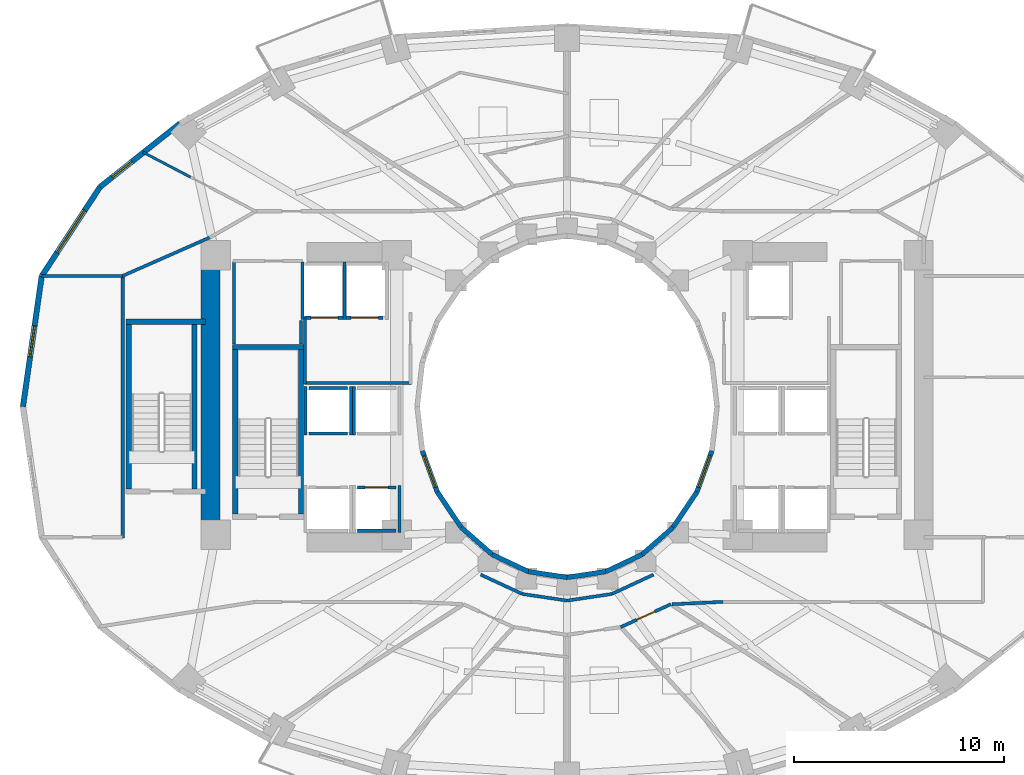
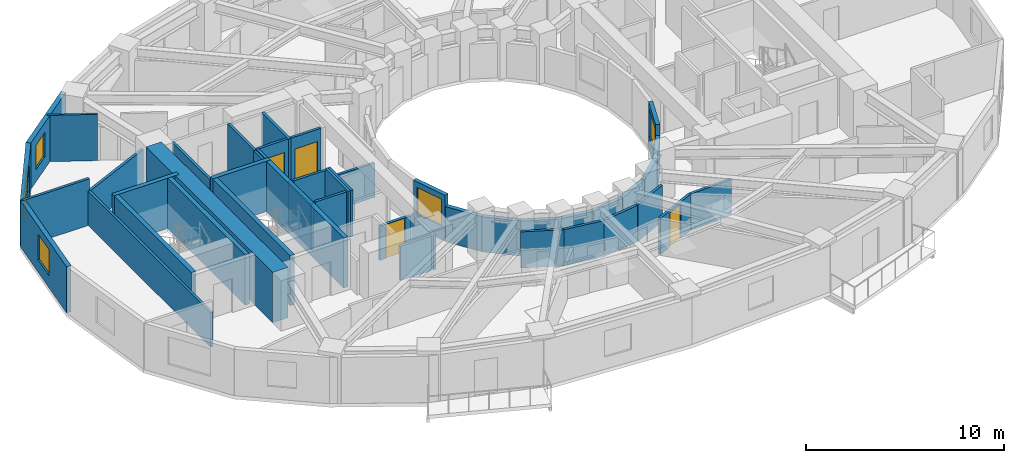
# One storey, part 4 of 11: 46 walls, 5 windows, 4 doors, 9 openings.
"""IFC4 building model written with IfcOpenShell, lengths in metres."""

from ifc_helpers import new_model, si_unit, direction, frame, frame_2d, origin, place, context, subcontext, project, spatial, rectangle, extrude, material, layer, layer_set, type_object, element, fill, save


model = new_model("IFC4")

# Units and contexts
model_context = context("Model", 3, precision=1e-05, world=origin(), true_north=direction((0.0, 1.0)))
body_context = subcontext(model_context, "Body", "Model", "MODEL_VIEW")
ifc_project = project(units=[si_unit("LENGTHUNIT", "METRE"), si_unit("AREAUNIT", "SQUARE_METRE"), si_unit("VOLUMEUNIT", "CUBIC_METRE"), si_unit("PLANEANGLEUNIT", "RADIAN"), si_unit("MASSUNIT", "GRAM", prefix="KILO")], contexts=[model_context])

# Site, building, storey
site_placement = place(None, origin())
site = spatial("IfcSite", under=ifc_project, at=site_placement, CompositionType="ELEMENT")
building_placement = place(site_placement, origin())
building = spatial("IfcBuilding", under=site, at=building_placement, Name="Solvane Sanctuary Tower", CompositionType="ELEMENT")
storey_placement = place(building_placement, frame((0.0, 0.0, 49.300048828125)))
storey = spatial("IfcBuildingStorey", under=building, at=storey_placement, Name="L14", CompositionType="ELEMENT", Elevation=49.300048828125)

# Walls
ifc_material_1 = material(Name="Concrete C70/85", Category="concrete")
ifc_layer_1 = layer(ifc_material_1, 0.89990234375, Name="Concrete C70/85")
ifc_layer_set_1 = layer_set([ifc_layer_1], Name="Concrete C70/85")
wall_type_1 = type_object("IfcWallType", Name="Wall W-CORE-900", PredefinedType="SHEAR", material=ifc_layer_set_1)
wall_1_placement = place(storey_placement, frame((15.050048828125, 17.050048828125, 0.0), z_axis=(0.0, 0.0, 1.0), x_axis=(0.0, 1.0, 0.0)))
element("IfcWall", 1, at=wall_1_placement, inside=storey, type_object=wall_type_1, Name="L14 Core Shear Wall WC-W", PredefinedType="SHEAR", context=body_context, shape_type="SweptSolid", body=[
    extrude(rectangle(XDim=12.800048828125, YDim=0.89990234375, at=frame_2d((6.39990234375, 0.0))), origin(), (0.0, 0.0, 1.0), 3.099853515625),
])
ifc_material_2 = material(Name="Acoustic Gypsum Partition Board")
ifc_layer_2 = layer(ifc_material_2, 0.14990234375, Name="Acoustic Gypsum Partition Board")
ifc_layer_set_2 = layer_set([ifc_layer_2], Name="Acoustic Gypsum Partition Board")
wall_type_2 = type_object("IfcWallType", Name="Wall W-CORR-150", PredefinedType="PARTITIONING", material=ifc_layer_set_2)
wall_2_placement = place(storey_placement, frame((19.52001953125, 24.1201171875, 0.0), z_axis=(0.0, 0.0, 1.0), x_axis=(1.0, 0.0, 0.0)))
element("IfcWall", 2, at=wall_2_placement, inside=storey, type_object=wall_type_2, Name="L14 West Firefighting Lobby South Wall", PredefinedType="PARTITIONING", context=body_context, shape_type="SweptSolid", body=[
    extrude(rectangle(XDim=5.080078125, YDim=0.14990234375, at=frame_2d((2.5400390625, 0.0))), origin(), (0.0, 0.0, 1.0), 2.119873046875),
])
wall_3_placement = place(storey_placement, frame((19.550048828125, 24.080078125, 0.0), z_axis=(0.0, 0.0, 1.0), x_axis=(0.0, 1.0, 0.0)))
element("IfcWall", 3, at=wall_3_placement, inside=storey, type_object=wall_type_2, Name="L14 West Firefighting Lobby West Wall", PredefinedType="PARTITIONING", context=body_context, shape_type="SweptSolid", body=[
    extrude(rectangle(XDim=3.199951171875, YDim=0.14990234375, at=frame_2d((1.60009765625, 0.0))), origin(), (0.0, 0.0, 1.0), 2.85498046875),
])
wall_4_placement = place(storey_placement, frame((27.889892578125, 15.01513671875, 0.0), z_axis=(0.0, 0.0, 1.0), x_axis=(0.906943449489, -0.421252393975, 0.0)))
element("IfcWall", 4, at=wall_4_placement, inside=storey, type_object=wall_type_2, Name="L14 Light-Well Corridor Rim Wall S1", PredefinedType="PARTITIONING", context=body_context, shape_type="SweptSolid", body=[
    extrude(rectangle(XDim=2.18603515625, YDim=0.14990234375, at=frame_2d((1.093017578125, 0.0))), origin(), (0.0, 0.0, 1.0), 2.237060546875),
])
for number, where, z_axis, x_axis, name in (
    (5, (29.87255859375, 14.09423828125, 0.0), (0.0, 0.0, 1.0), (0.989268584896, -0.146108408166, 0.0), "L14 Light-Well Corridor Rim Wall S2"),
    (6, (32.0, 13.780029296875, 0.0), (0.0, 0.0, 1.0), (0.989268584896, 0.146108408166, 0.0), "L14 Light-Well Corridor Rim Wall S3"),
):
    element("IfcWall", number, at=place(storey_placement, frame(where, z_axis=z_axis, x_axis=x_axis)), inside=storey, type_object=wall_type_2, Name=name, PredefinedType="PARTITIONING", context=body_context, shape_type="SweptSolid", body=[
        extrude(rectangle(XDim=2.150634765625, YDim=0.14990234375, at=frame_2d((1.0751953125, 0.0))), origin(), (0.0, 0.0, 1.0), 2.237060546875),
    ])
wall_5_placement = place(storey_placement, frame((34.12744140625, 14.09423828125, 0.0), z_axis=(0.0, 0.0, 1.0), x_axis=(0.906943449489, 0.421252393975, 0.0)))
element("IfcWall", 7, at=wall_5_placement, inside=storey, type_object=wall_type_2, Name="L14 Light-Well Corridor Rim Wall S4", PredefinedType="PARTITIONING", context=body_context, shape_type="SweptSolid", body=[
    extrude(rectangle(XDim=2.18603515625, YDim=0.14990234375, at=frame_2d((1.093017578125, 0.0))), origin(), (0.0, 0.0, 1.0), 2.237060546875),
])
wall_6_placement = place(storey_placement, frame((10.8798828125, 16.748291015625, 0.0), z_axis=(0.0, 0.0, 1.0), x_axis=(0.0, 1.0, 0.0)))
element("IfcWall", 8, at=wall_6_placement, inside=storey, type_object=wall_type_2, Name="L14 West Shoulder Back Wall", PredefinedType="PARTITIONING", context=body_context, shape_type="SweptSolid", body=[
    extrude(rectangle(XDim=12.50341796875, YDim=0.14990234375, at=frame_2d((6.251708984375, 0.0))), origin(), (0.0, 0.0, 1.0), 2.119873046875),
])
wall_7_placement = place(storey_placement, frame((7.013671875, 29.211669921875, 0.0), z_axis=(0.0, 0.0, 1.0), x_axis=(1.0, 0.0, 0.0)))
element("IfcWall", 9, at=wall_7_placement, inside=storey, type_object=wall_type_2, Name="L14 West Shoulder North Wall", PredefinedType="PARTITIONING", context=body_context, shape_type="SweptSolid", body=[
    extrude(rectangle(XDim=3.8662109375, YDim=0.14990234375, at=frame_2d((1.93310546875, 0.0))), origin(), (0.0, 0.0, 1.0), 2.85498046875),
])
wall_8_placement = place(storey_placement, frame((10.843505859375, 29.195556640625, 0.0), z_axis=(0.0, 0.0, 1.0), x_axis=(0.91502756289, 0.403391322604, 0.0)))
element("IfcWall", 10, at=wall_8_placement, inside=storey, type_object=wall_type_2, Name="L14 NW Corner Closer 1", PredefinedType="PARTITIONING", context=body_context, shape_type="SweptSolid", body=[
    extrude(rectangle(XDim=4.63720703125, YDim=0.14990234375, at=frame_2d((2.318603515625, 0.0))), origin(), (0.0, 0.0, 1.0), 2.06884765625),
])
wall_9_placement = place(storey_placement, frame((36.97998046875, 13.606201171875, 0.0), z_axis=(0.0, 0.0, 1.0), x_axis=(0.998877427952, 0.047369651964, 0.0)))
element("IfcWall", 11, at=wall_9_placement, inside=storey, type_object=wall_type_2, Name="L14 SE Corner Throat Wall", PredefinedType="PARTITIONING", context=body_context, shape_type="SweptSolid", body=[
    extrude(rectangle(XDim=2.4326171875, YDim=0.14990234375, at=frame_2d((1.21630859375, 0.0))), origin(), (0.0, 0.0, 1.0), 2.237060546875),
])

# Wall, opening, door
wall_10_placement = place(storey_placement, frame((34.542724609375, 12.517578125, 0.0), z_axis=(0.0, 0.0, 1.0), x_axis=(0.909747571199, 0.415161843982, 0.0)))
wall_10 = element("IfcWall", 12, at=wall_10_placement, inside=storey, type_object=wall_type_2, Name="L14 Unit Corridor Wall S4", PredefinedType="PARTITIONING", context=body_context, shape_type="SweptSolid", body=[
    extrude(rectangle(XDim=2.625, YDim=0.14990234375, at=frame_2d((1.3125, 0.0))), origin(), (0.0, 0.0, 1.0), 2.237060546875),
])
opening_1_placement = place(wall_10_placement, frame((0.837646484375, 0.0, 0.0)))
opening_1 = element("IfcOpeningElement", 13, at=opening_1_placement, cuts=wall_10, Name="Opening D-L14-32", PredefinedType="OPENING", context=body_context, shape_type="SweptSolid", body=[
    extrude(rectangle(XDim=0.949951171875, YDim=2.10009765625, at=frame_2d((0.47509765625, 1.050048828125))), frame((0.0, 0.0849609375, 0.0), z_axis=(0.0, -1.0, 0.0), x_axis=(1.0, 0.0, 0.0)), (0.0, 0.0, 1.0), 0.169921875),
])
ifc_material_3 = material(Name="Engineered Tropical Hardwood", Category="wood")
door_type_1 = type_object("IfcDoorType", Name="Door D-ROOM-950", OperationType="NOTDEFINED", PredefinedType="DOOR", material=ifc_material_3)
door_1_placement = place(opening_1_placement, origin())
door_1 = element("IfcDoor", 14, at=door_1_placement, inside=storey, type_object=door_type_1, Name="L14 Unit Entrance Door S4", OperationType="SINGLE_SWING_RIGHT", OverallHeight=2.10009765625, OverallWidth=0.949951171875, PredefinedType="DOOR", context=body_context, shape_type="SweptSolid", body=[
    extrude(rectangle(XDim=0.949951171875, YDim=2.10009765625, at=frame_2d((0.47509765625, 1.050048828125))), frame((0.0, 0.02490234375, 0.0), z_axis=(0.0, -1.0, 0.0), x_axis=(1.0, 0.0, 0.0)), (0.0, 0.0, 1.0), 0.050048828125),
])
fill(opening_1, door_1)

# Wall, opening, window
ifc_material_4 = material(Name="Precast concrete C40/50", Category="concrete")
ifc_layer_3 = layer(ifc_material_4, 0.260009765625, Name="Precast concrete C40/50")
ifc_layer_set_3 = layer_set([ifc_layer_3], Name="Precast concrete C40/50")
wall_type_3 = type_object("IfcWallType", Name="Wall W-EXT-250", PredefinedType="STANDARD", material=ifc_layer_set_3)
wall_11_placement = place(storey_placement, frame((13.595458984375, 36.449951171875, 0.0), z_axis=(0.0, 0.0, 1.0), x_axis=(-0.783123133379, -0.621866672179, 0.0)))
wall_11 = element("IfcWall", 15, at=wall_11_placement, inside=storey, type_object=wall_type_3, Name="L14 Ceramic-Printed Facade Wall 09", PredefinedType="STANDARD", context=body_context, shape_type="SweptSolid", body=[
    extrude(rectangle(XDim=4.838623046875, YDim=0.260009765625, at=frame_2d((2.41943359375, 0.0))), origin(), (0.0, 0.0, 1.0), 2.849853515625),
])
opening_2_placement = place(wall_11_placement, frame((2.897705078125, 0.0, 0.75)))
opening_2 = element("IfcOpeningElement", 16, at=opening_2_placement, cuts=wall_11, Name="Opening WN-OPER-1200", PredefinedType="OPENING", context=body_context, shape_type="SweptSolid", body=[
    extrude(rectangle(XDim=1.199951171875, YDim=1.5, at=frame_2d((0.60009765625, 0.75))), frame((0.0, 0.139892578125, 0.0), z_axis=(0.0, -1.0, 0.0), x_axis=(1.0, 0.0, 0.0)), (0.0, 0.0, 1.0), 0.280029296875),
])
ifc_material_5 = material(Name="Dark Ceramic-Fritted Low-E Glass", Category="glass")
window_type_1 = type_object("IfcWindowType", Name="Window WN-OPER-1200", PartitioningType="SINGLE_PANEL", PredefinedType="WINDOW", material=ifc_material_5)
window_1_placement = place(opening_2_placement, origin())
window_1 = element("IfcWindow", 17, at=window_1_placement, inside=storey, type_object=window_type_1, Name="L14 Operable Facade Window 09", OverallHeight=1.5, OverallWidth=1.199951171875, PartitioningType="SINGLE_PANEL", PredefinedType="WINDOW", context=body_context, shape_type="SweptSolid", body=[
    extrude(rectangle(XDim=1.199951171875, YDim=1.5, at=frame_2d((0.60009765625, 0.75))), frame((0.0, 0.030029296875, 0.0), z_axis=(0.0, -1.0, 0.0), x_axis=(1.0, 0.0, 0.0)), (0.0, 0.0, 1.0), 0.06005859375),
])
fill(opening_2, window_1)

wall_12_placement = place(storey_placement, frame((9.80615234375, 33.44091796875, 0.0), z_axis=(0.0, 0.0, 1.0), x_axis=(-0.547702757047, -0.836672988642, 0.0)))
wall_12 = element("IfcWall", 18, at=wall_12_placement, inside=storey, type_object=wall_type_3, Name="L14 Ceramic-Printed Facade Wall 10", PredefinedType="STANDARD", context=body_context, shape_type="SweptSolid", body=[
    extrude(rectangle(XDim=5.0625, YDim=0.260009765625, at=frame_2d((2.53125, 0.0))), origin(), (0.0, 0.0, 1.0), 2.849853515625),
])
opening_3_placement = place(wall_12_placement, frame((1.331298828125, 0.0, 0.75)))
opening_3 = element("IfcOpeningElement", 19, at=opening_3_placement, cuts=wall_12, Name="Opening WN-RIB-2400", PredefinedType="OPENING", context=body_context, shape_type="SweptSolid", body=[
    extrude(rectangle(XDim=2.39990234375, YDim=1.699951171875, at=frame_2d((1.199951171875, 0.85009765625))), frame((0.0, 0.139892578125, 0.0), z_axis=(0.0, -1.0, 0.0), x_axis=(1.0, 0.0, 0.0)), (0.0, 0.0, 1.0), 0.280029296875),
])
window_type_2 = type_object("IfcWindowType", Name="Window WN-RIB-2400", PartitioningType="SINGLE_PANEL", PredefinedType="WINDOW", material=ifc_material_5)
window_2_placement = place(opening_3_placement, origin())
window_2 = element("IfcWindow", 20, at=window_2_placement, inside=storey, type_object=window_type_2, Name="L14 Operable Facade Window 10", OverallHeight=1.699951171875, OverallWidth=2.39990234375, PartitioningType="SINGLE_PANEL", PredefinedType="WINDOW", context=body_context, shape_type="SweptSolid", body=[
    extrude(rectangle(XDim=2.39990234375, YDim=1.699951171875, at=frame_2d((1.199951171875, 0.85009765625))), frame((0.0, 0.030029296875, 0.0), z_axis=(0.0, -1.0, 0.0), x_axis=(1.0, 0.0, 0.0)), (0.0, 0.0, 1.0), 0.06005859375),
])
fill(opening_3, window_2)

wall_13_placement = place(storey_placement, frame((7.033447265625, 29.205322265625, 0.0), z_axis=(0.0, 0.0, 1.0), x_axis=(-0.142528001686, -0.989790770181, 0.0)))
wall_13 = element("IfcWall", 21, at=wall_13_placement, inside=storey, type_object=wall_type_3, Name="L14 Ceramic-Printed Facade Wall 11", PredefinedType="STANDARD", context=body_context, shape_type="SweptSolid", body=[
    extrude(rectangle(XDim=6.269287109375, YDim=0.260009765625, at=frame_2d((3.134765625, 0.0))), origin(), (0.0, 0.0, 1.0), 2.849853515625),
])
opening_4_placement = place(wall_13_placement, frame((2.384521484375, 0.0, 0.75)))
opening_4 = element("IfcOpeningElement", 22, at=opening_4_placement, cuts=wall_13, Name="Opening WN-OPER-1500", PredefinedType="OPENING", context=body_context, shape_type="SweptSolid", body=[
    extrude(rectangle(XDim=1.5, YDim=1.60009765625, at=frame_2d((0.75, 0.800048828125))), frame((0.0, 0.139892578125, 0.0), z_axis=(0.0, -1.0, 0.0), x_axis=(1.0, 0.0, 0.0)), (0.0, 0.0, 1.0), 0.280029296875),
])
window_type_3 = type_object("IfcWindowType", Name="Window WN-OPER-1500", PartitioningType="SINGLE_PANEL", PredefinedType="WINDOW", material=ifc_material_5)
window_3_placement = place(opening_4_placement, origin())
window_3 = element("IfcWindow", 23, at=window_3_placement, inside=storey, type_object=window_type_3, Name="L14 Operable Facade Window 11", OverallHeight=1.60009765625, OverallWidth=1.5, PartitioningType="SINGLE_PANEL", PredefinedType="WINDOW", context=body_context, shape_type="SweptSolid", body=[
    extrude(rectangle(XDim=1.5, YDim=1.60009765625, at=frame_2d((0.75, 0.800048828125))), frame((0.0, 0.030029296875, 0.0), z_axis=(0.0, -1.0, 0.0), x_axis=(1.0, 0.0, 0.0)), (0.0, 0.0, 1.0), 0.06005859375),
])
fill(opening_4, window_3)

ifc_layer_4 = layer(ifc_material_4, 0.22998046875, Name="Precast concrete C40/50")
ifc_layer_set_4 = layer_set([ifc_layer_4], Name="Precast concrete C40/50")
wall_type_4 = type_object("IfcWallType", Name="Wall W-EXT-SP220", PredefinedType="STANDARD", material=ifc_layer_set_4)
wall_14_placement = place(storey_placement, frame((25.12255859375, 20.8984375, 0.0), z_axis=(0.0, 0.0, 1.0), x_axis=(0.341423187295, -0.93990968033, 0.0)))
wall_14 = element("IfcWall", 24, at=wall_14_placement, inside=storey, type_object=wall_type_4, Name="L14 Central Light-Well Wall 13", PredefinedType="STANDARD", context=body_context, shape_type="SweptSolid", body=[
    extrude(rectangle(XDim=2.083740234375, YDim=0.22998046875, at=frame_2d((1.0419921875, 0.0))), origin(), (0.0, 0.0, 1.0), 2.83984375),
])
opening_5_placement = place(wall_14_placement, frame((0.24169921875, 0.0, 0.85009765625)))
opening_5 = element("IfcOpeningElement", 25, at=opening_5_placement, cuts=wall_14, Name="Opening WN-WELL-1600", PredefinedType="OPENING", context=body_context, shape_type="SweptSolid", body=[
    extrude(rectangle(XDim=1.60009765625, YDim=1.64990234375, at=frame_2d((0.800048828125, 0.824951171875))), frame((0.0, 0.125, 0.0), z_axis=(0.0, -1.0, 0.0), x_axis=(1.0, 0.0, 0.0)), (0.0, 0.0, 1.0), 0.25),
])
ifc_material_6 = material(Name="Clear Laminated Light-Well Glass", Category="glass")
window_type_4 = type_object("IfcWindowType", Name="Window WN-WELL-1600", PartitioningType="SINGLE_PANEL", PredefinedType="WINDOW", material=ifc_material_6)
window_4_placement = place(opening_5_placement, origin())
window_4 = element("IfcWindow", 26, at=window_4_placement, inside=storey, type_object=window_type_4, Name="L14 Light-Well Daylight Window 13", OverallHeight=1.64990234375, OverallWidth=1.60009765625, PartitioningType="SINGLE_PANEL", PredefinedType="WINDOW", context=body_context, shape_type="SweptSolid", body=[
    extrude(rectangle(XDim=1.60009765625, YDim=1.64990234375, at=frame_2d((0.800048828125, 0.824951171875))), frame((0.0, 0.030029296875, 0.0), z_axis=(0.0, -1.0, 0.0), x_axis=(1.0, 0.0, 0.0)), (0.0, 0.0, 1.0), 0.06005859375),
])
fill(opening_5, window_4)

# Walls
wall_15_placement = place(storey_placement, frame((25.833984375, 18.93994140625, 0.0), z_axis=(0.0, 0.0, 1.0), x_axis=(0.558197800898, -0.829707909492, 0.0)))
element("IfcWall", 27, at=wall_15_placement, inside=storey, type_object=wall_type_4, Name="L14 Central Light-Well Wall 14", PredefinedType="STANDARD", context=body_context, shape_type="SweptSolid", body=[
    extrude(rectangle(XDim=2.02685546875, YDim=0.22998046875, at=frame_2d((1.013427734375, 0.0))), origin(), (0.0, 0.0, 1.0), 2.159912109375),
])
wall_16_placement = place(storey_placement, frame((26.96533203125, 17.25830078125, 0.0), z_axis=(0.0, 0.0, 1.0), x_axis=(0.752576694707, -0.658504607869, 0.0)))
element("IfcWall", 28, at=wall_16_placement, inside=storey, type_object=wall_type_4, Name="L14 Central Light-Well Wall 15", PredefinedType="STANDARD", context=body_context, shape_type="SweptSolid", body=[
    extrude(rectangle(XDim=1.95947265625, YDim=0.22998046875, at=frame_2d((0.979736328125, 0.0))), origin(), (0.0, 0.0, 1.0), 2.159912109375),
])
wall_17_placement = place(storey_placement, frame((28.43994140625, 15.968017578125, 0.0), z_axis=(0.0, 0.0, 1.0), x_axis=(0.904179699603, -0.427152280606, 0.0)))
element("IfcWall", 29, at=wall_17_placement, inside=storey, type_object=wall_type_4, Name="L14 Central Light-Well Wall 16", PredefinedType="STANDARD", context=body_context, shape_type="SweptSolid", body=[
    extrude(rectangle(XDim=1.899169921875, YDim=0.22998046875, at=frame_2d((0.94970703125, 0.0))), origin(), (0.0, 0.0, 1.0), 2.159912109375),
])
for number, where, z_axis, x_axis, name in (
    (30, (30.1572265625, 15.15673828125, 0.0), (0.0, 0.0, 1.0), (0.988901730308, -0.148571086668, 0.0), "L14 Central Light-Well Wall 17"),
    (31, (32.0, 14.8798828125, 0.0), (0.0, 0.0, 1.0), (0.988901730308, 0.148571086668, 0.0), "L14 Central Light-Well Wall 18"),
):
    element("IfcWall", number, at=place(storey_placement, frame(where, z_axis=z_axis, x_axis=x_axis)), inside=storey, type_object=wall_type_4, Name=name, PredefinedType="STANDARD", context=body_context, shape_type="SweptSolid", body=[
        extrude(rectangle(XDim=1.863525390625, YDim=0.22998046875, at=frame_2d((0.931640625, 0.0))), origin(), (0.0, 0.0, 1.0), 2.159912109375),
    ])
wall_18_placement = place(storey_placement, frame((33.8427734375, 15.15673828125, 0.0), z_axis=(0.0, 0.0, 1.0), x_axis=(0.904179699603, 0.427152280606, 0.0)))
element("IfcWall", 32, at=wall_18_placement, inside=storey, type_object=wall_type_4, Name="L14 Central Light-Well Wall 19", PredefinedType="STANDARD", context=body_context, shape_type="SweptSolid", body=[
    extrude(rectangle(XDim=1.899169921875, YDim=0.22998046875, at=frame_2d((0.94970703125, 0.0))), origin(), (0.0, 0.0, 1.0), 2.159912109375),
])
wall_19_placement = place(storey_placement, frame((35.56005859375, 15.968017578125, 0.0), z_axis=(0.0, 0.0, 1.0), x_axis=(0.752576694707, 0.658504607869, 0.0)))
element("IfcWall", 33, at=wall_19_placement, inside=storey, type_object=wall_type_4, Name="L14 Central Light-Well Wall 20", PredefinedType="STANDARD", context=body_context, shape_type="SweptSolid", body=[
    extrude(rectangle(XDim=1.95947265625, YDim=0.22998046875, at=frame_2d((0.979736328125, 0.0))), origin(), (0.0, 0.0, 1.0), 2.159912109375),
])
wall_20_placement = place(storey_placement, frame((37.03466796875, 17.25830078125, 0.0), z_axis=(0.0, 0.0, 1.0), x_axis=(0.558197800898, 0.829707909492, 0.0)))
element("IfcWall", 34, at=wall_20_placement, inside=storey, type_object=wall_type_4, Name="L14 Central Light-Well Wall 21", PredefinedType="STANDARD", context=body_context, shape_type="SweptSolid", body=[
    extrude(rectangle(XDim=2.02685546875, YDim=0.22998046875, at=frame_2d((1.013427734375, 0.0))), origin(), (0.0, 0.0, 1.0), 2.159912109375),
])

# Wall, opening, window
wall_21_placement = place(storey_placement, frame((38.166015625, 18.93994140625, 0.0), z_axis=(0.0, 0.0, 1.0), x_axis=(0.341423187295, 0.93990968033, 0.0)))
wall_21 = element("IfcWall", 35, at=wall_21_placement, inside=storey, type_object=wall_type_4, Name="L14 Central Light-Well Wall 22", PredefinedType="STANDARD", context=body_context, shape_type="SweptSolid", body=[
    extrude(rectangle(XDim=2.083740234375, YDim=0.22998046875, at=frame_2d((1.0419921875, 0.0))), origin(), (0.0, 0.0, 1.0), 2.83984375),
])
opening_6_placement = place(wall_21_placement, frame((0.24169921875, 0.0, 0.85009765625)))
opening_6 = element("IfcOpeningElement", 36, at=opening_6_placement, cuts=wall_21, Name="Opening WN-WELL-1600", PredefinedType="OPENING", context=body_context, shape_type="SweptSolid", body=[
    extrude(rectangle(XDim=1.60009765625, YDim=1.64990234375, at=frame_2d((0.800048828125, 0.824951171875))), frame((0.0, 0.125, 0.0), z_axis=(0.0, -1.0, 0.0), x_axis=(1.0, 0.0, 0.0)), (0.0, 0.0, 1.0), 0.25),
])
window_5_placement = place(opening_6_placement, origin())
window_5 = element("IfcWindow", 37, at=window_5_placement, inside=storey, type_object=window_type_4, Name="L14 Light-Well Daylight Window 22", OverallHeight=1.64990234375, OverallWidth=1.60009765625, PartitioningType="SINGLE_PANEL", PredefinedType="WINDOW", context=body_context, shape_type="SweptSolid", body=[
    extrude(rectangle(XDim=1.60009765625, YDim=1.64990234375, at=frame_2d((0.800048828125, 0.824951171875))), frame((0.0, 0.030029296875, 0.0), z_axis=(0.0, -1.0, 0.0), x_axis=(1.0, 0.0, 0.0)), (0.0, 0.0, 1.0), 0.06005859375),
])
fill(opening_6, window_5)

# Wall
ifc_layer_5 = layer(ifc_material_2, 0.1201171875, Name="Acoustic Gypsum Partition Board")
ifc_layer_set_5 = layer_set([ifc_layer_5], Name="Acoustic Gypsum Partition Board")
wall_type_5 = type_object("IfcWallType", Name="Wall W-MOV-100", PredefinedType="MOVABLE", material=ifc_layer_set_5)
wall_22_placement = place(storey_placement, frame((14.1044921875, 33.904052734375, 0.0), z_axis=(0.0, 0.0, 1.0), x_axis=(-0.885573027611, 0.464500175208, 0.0)))
element("IfcWall", 38, at=wall_22_placement, inside=storey, type_object=wall_type_5, Name="L14 NW Corner Suite Partition", PredefinedType="MOVABLE", context=body_context, shape_type="SweptSolid", body=[
    extrude(rectangle(XDim=2.55224609375, YDim=0.1201171875, at=frame_2d((1.276123046875, 0.0))), origin(), (0.0, 0.0, 1.0), 2.85498046875),
])

# Wall, opening, door
ifc_material_7 = material(Name="Concrete C50/60", Category="concrete")
ifc_layer_6 = layer(ifc_material_7, 0.14990234375, Name="Concrete C50/60")
ifc_layer_set_6 = layer_set([ifc_layer_6], Name="Concrete C50/60")
wall_type_6 = type_object("IfcWallType", Name="Wall W-SHAFT-150", PredefinedType="SOLIDWALL", material=ifc_layer_set_6)
wall_23_placement = place(storey_placement, frame((22.0400390625, 19.159912109375, 0.0), z_axis=(0.0, 0.0, 1.0), x_axis=(1.0, 0.0, 0.0)))
wall_23 = element("IfcWall", 39, at=wall_23_placement, inside=storey, type_object=wall_type_6, Name="L14 PL-2 Lift Shaft Wall F", PredefinedType="SOLIDWALL", context=body_context, shape_type="SweptSolid", body=[
    extrude(rectangle(XDim=1.820068359375, YDim=0.14990234375, at=frame_2d((0.91015625, 0.0))), origin(), (0.0, 0.0, 1.0), 2.119873046875),
])
opening_7_placement = place(wall_23_placement, frame((0.360107421875, 0.0, 0.0)))
opening_7 = element("IfcOpeningElement", 40, at=opening_7_placement, cuts=wall_23, Name="Opening LD-L14-02", PredefinedType="OPENING", context=body_context, shape_type="SweptSolid", body=[
    extrude(rectangle(XDim=1.10009765625, YDim=2.10009765625, at=frame_2d((0.550048828125, 1.050048828125))), frame((0.0, 0.0849609375, 0.0), z_axis=(0.0, -1.0, 0.0), x_axis=(1.0, 0.0, 0.0)), (0.0, 0.0, 1.0), 0.169921875),
])
ifc_material_8 = material(Name="Architectural Stainless Steel 316", Category="steel")
door_type_2 = type_object("IfcDoorType", Name="Door LD-PASS-1100", OperationType="NOTDEFINED", PredefinedType="DOOR", material=ifc_material_8)
door_2_placement = place(opening_7_placement, origin())
door_2 = element("IfcDoor", 41, at=door_2_placement, inside=storey, type_object=door_type_2, Name="L14 PL-2 Lift Landing Door", OperationType="DOUBLE_DOOR_SLIDING", OverallHeight=2.10009765625, OverallWidth=1.10009765625, PredefinedType="DOOR", context=body_context, shape_type="SweptSolid", body=[
    extrude(rectangle(XDim=1.10009765625, YDim=2.10009765625, at=frame_2d((0.550048828125, 1.050048828125))), frame((0.0, 0.02490234375, 0.0), z_axis=(0.0, -1.0, 0.0), x_axis=(1.0, 0.0, 0.0)), (0.0, 0.0, 1.0), 0.050048828125),
])
fill(opening_7, door_2)

# Walls
wall_24_placement = place(storey_placement, frame((22.0400390625, 17.10009765625, 0.0), z_axis=(0.0, 0.0, 1.0), x_axis=(1.0, 0.0, 0.0)))
element("IfcWall", 42, at=wall_24_placement, inside=storey, type_object=wall_type_6, Name="L14 PL-2 Lift Shaft Wall B", PredefinedType="SOLIDWALL", context=body_context, shape_type="SweptSolid", body=[
    extrude(rectangle(XDim=1.820068359375, YDim=0.14990234375, at=frame_2d((0.91015625, 0.0))), origin(), (0.0, 0.0, 1.0), 2.119873046875),
])
wall_25_placement = place(storey_placement, frame((24.030029296875, 17.02001953125, 0.0), z_axis=(0.0, 0.0, 1.0), x_axis=(0.0, 1.0, 0.0)))
element("IfcWall", 43, at=wall_25_placement, inside=storey, type_object=wall_type_6, Name="L14 PL-2 Lift Shaft Wall S2", PredefinedType="SOLIDWALL", context=body_context, shape_type="SweptSolid", body=[
    extrude(rectangle(XDim=2.219970703125, YDim=0.14990234375, at=frame_2d((1.10986328125, 0.0))), origin(), (0.0, 0.0, 1.0), 2.119873046875),
])
for number, where, z_axis, x_axis, name in (
    (44, (19.739990234375, 21.719970703125, 0.0), (0.0, 0.0, 1.0), (1.0, 0.0, 0.0), "L14 PM-1 Lift Shaft Wall F"),
    (45, (19.739990234375, 23.8798828125, 0.0), (0.0, 0.0, 1.0), (1.0, 0.0, 0.0), "L14 PM-1 Lift Shaft Wall B"),
):
    element("IfcWall", number, at=place(storey_placement, frame(where, z_axis=z_axis, x_axis=x_axis)), inside=storey, type_object=wall_type_6, Name=name, PredefinedType="SOLIDWALL", context=body_context, shape_type="SweptSolid", body=[
        extrude(rectangle(XDim=1.820068359375, YDim=0.14990234375, at=frame_2d((0.91015625, 0.0))), origin(), (0.0, 0.0, 1.0), 2.85498046875),
    ])
for number, where, z_axis, x_axis, name in (
    (46, (19.570068359375, 21.639892578125, 0.0), (0.0, 0.0, 1.0), (0.0, 1.0, 0.0), "L14 PM-1 Lift Shaft Wall S1"),
    (47, (21.72998046875, 21.639892578125, 0.0), (0.0, 0.0, 1.0), (0.0, 1.0, 0.0), "L14 PM-1 Lift Shaft Wall S2"),
    (48, (21.8701171875, 21.639892578125, 0.0), (0.0, 0.0, 1.0), (0.0, 1.0, 0.0), "L14 PH-1 Lift Shaft Wall S1"),
):
    element("IfcWall", number, at=place(storey_placement, frame(where, z_axis=z_axis, x_axis=x_axis)), inside=storey, type_object=wall_type_6, Name=name, PredefinedType="SOLIDWALL", context=body_context, shape_type="SweptSolid", body=[
        extrude(rectangle(XDim=2.320068359375, YDim=0.14990234375, at=frame_2d((1.16015625, 0.0))), origin(), (0.0, 0.0, 1.0), 2.85498046875),
    ])

# Wall, opening, door
wall_26_placement = place(storey_placement, frame((19.590087890625, 27.219970703125, 0.0), z_axis=(0.0, 0.0, 1.0), x_axis=(1.0, 0.0, 0.0)))
wall_26 = element("IfcWall", 49, at=wall_26_placement, inside=storey, type_object=wall_type_6, Name="L14 FFL-1 Lift Shaft Wall F", PredefinedType="SOLIDWALL", context=body_context, shape_type="SweptSolid", body=[
    extrude(rectangle(XDim=1.760009765625, YDim=0.14990234375, at=frame_2d((0.8798828125, 0.0))), origin(), (0.0, 0.0, 1.0), 2.85498046875),
])
opening_8_placement = place(wall_26_placement, frame((0.22998046875, 0.0, 0.0)))
opening_8 = element("IfcOpeningElement", 50, at=opening_8_placement, cuts=wall_26, Name="Opening LD-L14-05", PredefinedType="OPENING", context=body_context, shape_type="SweptSolid", body=[
    extrude(rectangle(XDim=1.300048828125, YDim=2.10009765625, at=frame_2d((0.64990234375, 1.050048828125))), frame((0.0, 0.0849609375, 0.0), z_axis=(0.0, -1.0, 0.0), x_axis=(1.0, 0.0, 0.0)), (0.0, 0.0, 1.0), 0.169921875),
])
door_type_3 = type_object("IfcDoorType", Name="Door LD-FFL-1300", OperationType="NOTDEFINED", PredefinedType="DOOR", material=ifc_material_8)
door_3_placement = place(opening_8_placement, origin())
door_3 = element("IfcDoor", 51, at=door_3_placement, inside=storey, type_object=door_type_3, Name="L14 FFL-1 Lift Landing Door", OperationType="DOUBLE_DOOR_SLIDING", OverallHeight=2.10009765625, OverallWidth=1.300048828125, PredefinedType="DOOR", context=body_context, shape_type="SweptSolid", body=[
    extrude(rectangle(XDim=1.300048828125, YDim=2.10009765625, at=frame_2d((0.64990234375, 1.050048828125))), frame((0.0, 0.02490234375, 0.0), z_axis=(0.0, -1.0, 0.0), x_axis=(1.0, 0.0, 0.0)), (0.0, 0.0, 1.0), 0.050048828125),
])
fill(opening_8, door_3)

# Walls
for number, where, z_axis, x_axis, name in (
    (52, (19.419921875, 27.139892578125, 0.0), (0.0, 0.0, 1.0), (0.0, 1.0, 0.0), "L14 FFL-1 Lift Shaft Wall S1"),
    (53, (21.425048828125, 27.139892578125, 0.0), (0.0, 0.0, 1.0), (0.0, 1.0, 0.0), "L14 FFL-1 Lift Shaft Wall S2"),
):
    element("IfcWall", number, at=place(storey_placement, frame(where, z_axis=z_axis, x_axis=x_axis)), inside=storey, type_object=wall_type_6, Name=name, PredefinedType="SOLIDWALL", context=body_context, shape_type="SweptSolid", body=[
        extrude(rectangle(XDim=2.72021484375, YDim=0.14990234375, at=frame_2d((1.360107421875, 0.0))), origin(), (0.0, 0.0, 1.0), 2.85498046875),
    ])

# Wall, opening, door
wall_27_placement = place(storey_placement, frame((21.5, 27.219970703125, 0.0), z_axis=(0.0, 0.0, 1.0), x_axis=(1.0, 0.0, 0.0)))
wall_27 = element("IfcWall", 54, at=wall_27_placement, inside=storey, type_object=wall_type_6, Name="L14 SVL-1 Lift Shaft Wall F", PredefinedType="SOLIDWALL", context=body_context, shape_type="SweptSolid", body=[
    extrude(rectangle(XDim=1.760009765625, YDim=0.14990234375, at=frame_2d((0.8798828125, 0.0))), origin(), (0.0, 0.0, 1.0), 2.85498046875),
])
opening_9_placement = place(wall_27_placement, frame((0.22998046875, 0.0, 0.0)))
opening_9 = element("IfcOpeningElement", 55, at=opening_9_placement, cuts=wall_27, Name="Opening LD-L14-06", PredefinedType="OPENING", context=body_context, shape_type="SweptSolid", body=[
    extrude(rectangle(XDim=1.300048828125, YDim=2.10009765625, at=frame_2d((0.64990234375, 1.050048828125))), frame((0.0, 0.0849609375, 0.0), z_axis=(0.0, -1.0, 0.0), x_axis=(1.0, 0.0, 0.0)), (0.0, 0.0, 1.0), 0.169921875),
])
door_4_placement = place(opening_9_placement, origin())
door_4 = element("IfcDoor", 56, at=door_4_placement, inside=storey, type_object=door_type_3, Name="L14 SVL-1 Lift Landing Door", OperationType="DOUBLE_DOOR_SLIDING", OverallHeight=2.10009765625, OverallWidth=1.300048828125, PredefinedType="DOOR", context=body_context, shape_type="SweptSolid", body=[
    extrude(rectangle(XDim=1.300048828125, YDim=2.10009765625, at=frame_2d((0.64990234375, 1.050048828125))), frame((0.0, 0.02490234375, 0.0), z_axis=(0.0, -1.0, 0.0), x_axis=(1.0, 0.0, 0.0)), (0.0, 0.0, 1.0), 0.050048828125),
])
fill(opening_9, door_4)

# Walls
ifc_layer_7 = layer(ifc_material_7, 0.25, Name="Concrete C50/60")
ifc_layer_set_7 = layer_set([ifc_layer_7], Name="Concrete C50/60")
wall_type_7 = type_object("IfcWallType", Name="Wall W-SHAFT-250", PredefinedType="SOLIDWALL", material=ifc_layer_set_7)
wall_28_placement = place(storey_placement, frame((16.10498046875, 25.830078125, 0.0), z_axis=(0.0, 0.0, 1.0), x_axis=(1.0, 0.0, 0.0)))
element("IfcWall", 57, at=wall_28_placement, inside=storey, type_object=wall_type_7, Name="L14 ST-1 Load-Bearing Shaft Wall N", PredefinedType="SOLIDWALL", context=body_context, shape_type="SweptSolid", body=[
    extrude(rectangle(XDim=3.3701171875, YDim=0.25, at=frame_2d((1.68505859375, 0.0))), origin(), (0.0, 0.0, 1.0), 3.099853515625),
])
for number, where, z_axis, x_axis, name in (
    (58, (16.22998046875, 17.89501953125, 0.0), (0.0, 0.0, 1.0), (0.0, 1.0, 0.0), "L14 ST-1 Load-Bearing Shaft Wall W"),
    (59, (19.35009765625, 17.89501953125, 0.0), (0.0, 0.0, 1.0), (0.0, 1.0, 0.0), "L14 ST-1 Load-Bearing Shaft Wall E"),
):
    element("IfcWall", number, at=place(storey_placement, frame(where, z_axis=z_axis, x_axis=x_axis)), inside=storey, type_object=wall_type_7, Name=name, PredefinedType="SOLIDWALL", context=body_context, shape_type="SweptSolid", body=[
        extrude(rectangle(XDim=7.81005859375, YDim=0.25, at=frame_2d((3.905029296875, 0.0))), origin(), (0.0, 0.0, 1.0), 3.099853515625),
    ])
wall_29_placement = place(storey_placement, frame((11.044921875, 27.030029296875, 0.0), z_axis=(0.0, 0.0, 1.0), x_axis=(1.0, 0.0, 0.0)))
element("IfcWall", 60, at=wall_29_placement, inside=storey, type_object=wall_type_7, Name="L14 ST-3 Load-Bearing Shaft Wall N", PredefinedType="SOLIDWALL", context=body_context, shape_type="SweptSolid", body=[
    extrude(rectangle(XDim=3.781982421875, YDim=0.25, at=frame_2d((1.89111328125, 0.0))), origin(), (0.0, 0.0, 1.0), 3.099853515625),
])
for number, where, z_axis, x_axis, name in (
    (61, (11.169921875, 19.094970703125, 0.0), (0.0, 0.0, 1.0), (0.0, 1.0, 0.0), "L14 ST-3 Load-Bearing Shaft Wall W"),
    (62, (14.2900390625, 19.094970703125, 0.0), (0.0, 0.0, 1.0), (0.0, 1.0, 0.0), "L14 ST-3 Load-Bearing Shaft Wall E"),
):
    element("IfcWall", number, at=place(storey_placement, frame(where, z_axis=z_axis, x_axis=x_axis)), inside=storey, type_object=wall_type_7, Name=name, PredefinedType="SOLIDWALL", context=body_context, shape_type="SweptSolid", body=[
        extrude(rectangle(XDim=7.81005859375, YDim=0.25, at=frame_2d((3.905029296875, 0.0))), origin(), (0.0, 0.0, 1.0), 3.099853515625),
    ])
ifc_layer_8 = layer(ifc_material_2, 0.139892578125, Name="Acoustic Gypsum Partition Board")
ifc_layer_set_8 = layer_set([ifc_layer_8], Name="Acoustic Gypsum Partition Board")
wall_type_8 = type_object("IfcWallType", Name="Wall W-WET-140", PredefinedType="PLUMBINGWALL", material=ifc_layer_set_8)
wall_30_placement = place(storey_placement, frame((16.179931640625, 25.97998046875, 0.0), z_axis=(0.0, 0.0, 1.0), x_axis=(0.0, 1.0, 0.0)))
element("IfcWall", 63, at=wall_30_placement, inside=storey, type_object=wall_type_8, Name="L14 Core Service Side Wall KW0-1", PredefinedType="PLUMBINGWALL", context=body_context, shape_type="SweptSolid", body=[
    extrude(rectangle(XDim=3.880126953125, YDim=0.139892578125, at=frame_2d((1.93994140625, 0.0))), origin(), (0.0, 0.0, 1.0), 2.85498046875),
])
wall_31_placement = place(storey_placement, frame((19.360107421875, 25.97998046875, 0.0), z_axis=(0.0, 0.0, 1.0), x_axis=(0.0, 1.0, 0.0)))
element("IfcWall", 64, at=wall_31_placement, inside=storey, type_object=wall_type_8, Name="L14 Core Service Side Wall KW0-2", PredefinedType="PLUMBINGWALL", context=body_context, shape_type="SweptSolid", body=[
    extrude(rectangle(XDim=1.1201171875, YDim=0.139892578125, at=frame_2d((0.56005859375, 0.0))), origin(), (0.0, 0.0, 1.0), 2.85498046875),
])

save(model, "model.ifc")
